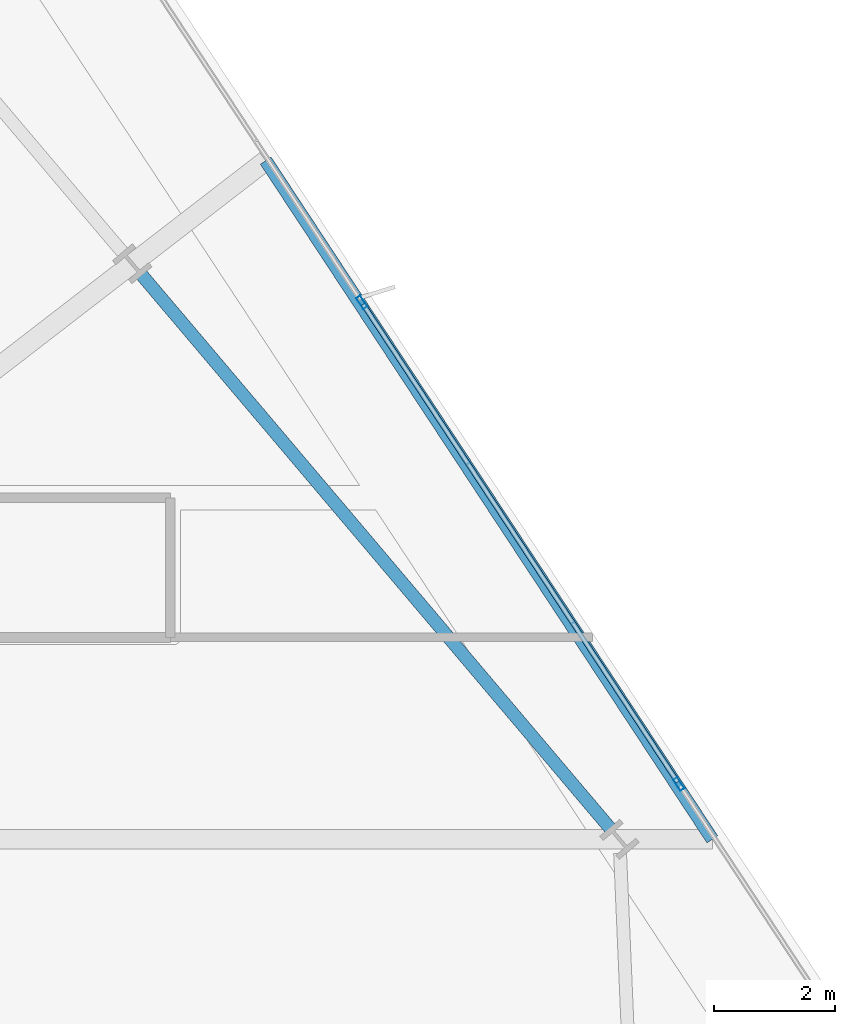
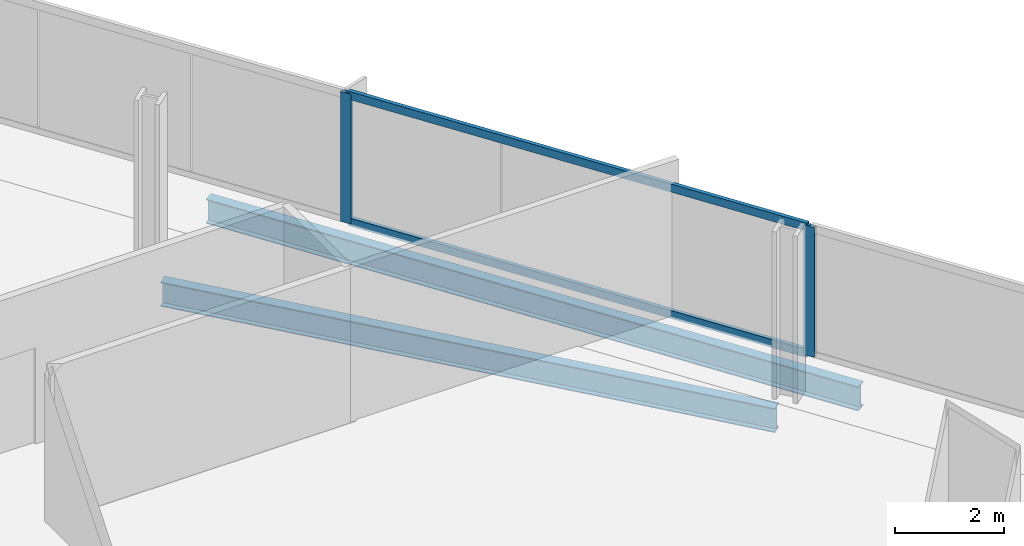
# One storey, part 17 of 29: 4 members, 2 beams, 1 element without a shape of its own.
"""IFC4 building model written with IfcOpenShell, lengths in metres."""

from ifc_helpers import new_model, si_unit, direction, frame, origin, origin_2d, place, context, subcontext, project, spatial, hollow_rectangle, i_section, extrude, material, material_profile, profile_set, type_object, element, aggregate, save


model = new_model("IFC4")

# Units and contexts
model_context = context("Model", 3, precision=1e-05, world=origin(), true_north=direction((0.0, 1.0)))
body_context = subcontext(model_context, "Body", "Model", "MODEL_VIEW")
ifc_project = project(units=[si_unit("LENGTHUNIT", "METRE"), si_unit("AREAUNIT", "SQUARE_METRE"), si_unit("VOLUMEUNIT", "CUBIC_METRE"), si_unit("PLANEANGLEUNIT", "RADIAN"), si_unit("MASSUNIT", "GRAM", prefix="KILO")], contexts=[model_context])

# Site, building, storey
site_placement = place(None, origin())
site = spatial("IfcSite", under=ifc_project, at=site_placement, CompositionType="ELEMENT")
building_placement = place(site_placement, origin())
building = spatial("IfcBuilding", under=site, at=building_placement, Name="Haldenkirk Collegiate Tower", CompositionType="ELEMENT")
storey_placement = place(building_placement, frame((0.0, 0.0, 140.699951171875)))
storey = spatial("IfcBuildingStorey", under=building, at=storey_placement, Name="L34", CompositionType="ELEMENT", Elevation=140.699951171875)

# Beams
ifc_material_1 = material(Name="Steel ASTM A992 Grade 50", Category="steel")
ifc_material_profile_1 = material_profile(ifc_material_1, i_section(OverallWidth=0.2119140625, OverallDepth=0.5439453125, WebThickness=0.01318359375, FlangeThickness=0.021240234375, at=origin_2d()), Name="W21X83")
ifc_profile_set_1 = profile_set([ifc_material_profile_1], Name="Steel ASTM A992 Grade 50")
beam_type = type_object("IfcBeamType", Name="BM-SPANDREL-W21X83", PredefinedType="SPANDREL", material=ifc_profile_set_1)
beam_1_placement = place(storey_placement, frame((61.051513671875, 30.998779296875, -0.56201171875), z_axis=(-0.646116898468, 0.763238464383, 0.0), x_axis=(-0.763238464383, -0.646116898468, 0.0)))
element("IfcBeam", 1, at=beam_1_placement, inside=storey, type_object=beam_type, Name="L34 perimeter spandrel beam 06", PredefinedType="SPANDREL", context=body_context, shape_type="SweptSolid", body=[
    extrude(i_section(OverallWidth=0.2119140625, OverallDepth=0.5439453125, WebThickness=0.01318359375, FlangeThickness=0.021240234375, at=origin_2d()), origin(), (0.0, 0.0, 1.0), 11.967041015625),
])
beam_2_placement = place(storey_placement, frame((62.7294921875, 30.82421875, -0.56201171875), z_axis=(-0.549748819386, 0.835330015972, 0.0), x_axis=(-0.835330015972, -0.549748819386, 0.0)))
element("IfcBeam", 2, at=beam_2_placement, inside=storey, type_object=beam_type, Name="L34 outer facade edge beam 2", PredefinedType="SPANDREL", context=body_context, shape_type="SweptSolid", body=[
    extrude(i_section(OverallWidth=0.2119140625, OverallDepth=0.5439453125, WebThickness=0.01318359375, FlangeThickness=0.021240234375, at=origin_2d()), origin(), (0.0, 0.0, 1.0), 13.385009765625),
])

# Curtain wall, members
ifc_material_2 = material(Name="Anodised architectural bronze aluminium", Category="aluminium")
curtain_wall_type = type_object("IfcCurtainWallType", Name="CW-SYS1-CONVEX-LOW", PredefinedType="USERDEFINED", material=ifc_material_2)
curtain_wall_placement = place(storey_placement, origin())
curtain_wall = element("IfcCurtainWall", 3, at=curtain_wall_placement, inside=storey, type_object=curtain_wall_type, Name="L34 Lower tower convex bronze-framed unitised curtain wall", ObjectType="UNITISED CURTAIN WALL", PredefinedType="USERDEFINED")
ifc_material_profile_2 = material_profile(ifc_material_2, hollow_rectangle(XDim=0.080078125, YDim=0.219970703125, WallThickness=0.0048828125, at=origin_2d()), Name="CW-MUL-1A")
ifc_profile_set_2 = profile_set([ifc_material_profile_2], Name="Anodised architectural bronze aluminium")
member_type_1 = type_object("IfcMemberType", Name="CW-MUL-1A", PredefinedType="MULLION", material=ifc_profile_set_2)
member_1_placement = place(storey_placement, frame((56.954833984375, 39.671142578125, 0.0), z_axis=(0.0, 0.0, 1.0), x_axis=(0.835328355519, 0.549751342395, 0.0)))
member_1 = element("IfcMember", 4, at=member_1_placement, type_object=member_type_1, Name="CW-1A mullion 3", PredefinedType="MULLION", context=body_context, shape_type="SweptSolid", body=[
    extrude(hollow_rectangle(XDim=0.080078125, YDim=0.219970703125, WallThickness=0.0048828125, at=origin_2d()), origin(), (0.0, 0.0, 1.0), 2.9111328125),
])
member_2_placement = place(storey_placement, frame((62.177490234375, 31.735595703125, 0.0), z_axis=(0.0, 0.0, 1.0), x_axis=(0.835328355519, 0.549751342395, 0.0)))
member_2 = element("IfcMember", 5, at=member_2_placement, type_object=member_type_1, Name="CW-1A mullion 4", PredefinedType="MULLION", context=body_context, shape_type="SweptSolid", body=[
    extrude(hollow_rectangle(XDim=0.080078125, YDim=0.219970703125, WallThickness=0.0048828125, at=origin_2d()), origin(), (0.0, 0.0, 1.0), 2.9111328125),
])
ifc_material_profile_3 = material_profile(ifc_material_2, hollow_rectangle(XDim=0.080078125, YDim=0.179931640625, WallThickness=0.0048828125, at=origin_2d()), Name="CW-TRN-1A")
ifc_profile_set_3 = profile_set([ifc_material_profile_3], Name="Anodised architectural bronze aluminium")
member_type_2 = type_object("IfcMemberType", Name="CW-TRN-1A", PredefinedType="USERDEFINED", material=ifc_profile_set_3)
member_3_placement = place(storey_placement, frame((56.976806640625, 39.6376953125, 0.0400390625), z_axis=(0.549762152266, -0.835321241162, 0.0), x_axis=(0.835321241162, 0.549762152266, 0.0)))
member_3 = element("IfcMember", 6, at=member_3_placement, type_object=member_type_2, Name="CW-1A transom 3.1", ObjectType="TRANSOM", PredefinedType="USERDEFINED", context=body_context, shape_type="SweptSolid", body=[
    extrude(hollow_rectangle(XDim=0.080078125, YDim=0.179931640625, WallThickness=0.0048828125, at=origin_2d()), origin(), (0.0, 0.0, 1.0), 9.419921875),
])
member_4_placement = place(storey_placement, frame((56.976806640625, 39.6376953125, 2.87109375), z_axis=(0.549762152266, -0.835321241162, 0.0), x_axis=(0.835321241162, 0.549762152266, 0.0)))
member_4 = element("IfcMember", 7, at=member_4_placement, type_object=member_type_2, Name="CW-1A transom 3.2", ObjectType="TRANSOM", PredefinedType="USERDEFINED", context=body_context, shape_type="SweptSolid", body=[
    extrude(hollow_rectangle(XDim=0.080078125, YDim=0.179931640625, WallThickness=0.0048828125, at=origin_2d()), origin(), (0.0, 0.0, 1.0), 9.419921875),
])
aggregate(curtain_wall, [member_1, member_2, member_3, member_4])

save(model, "model.ifc")
